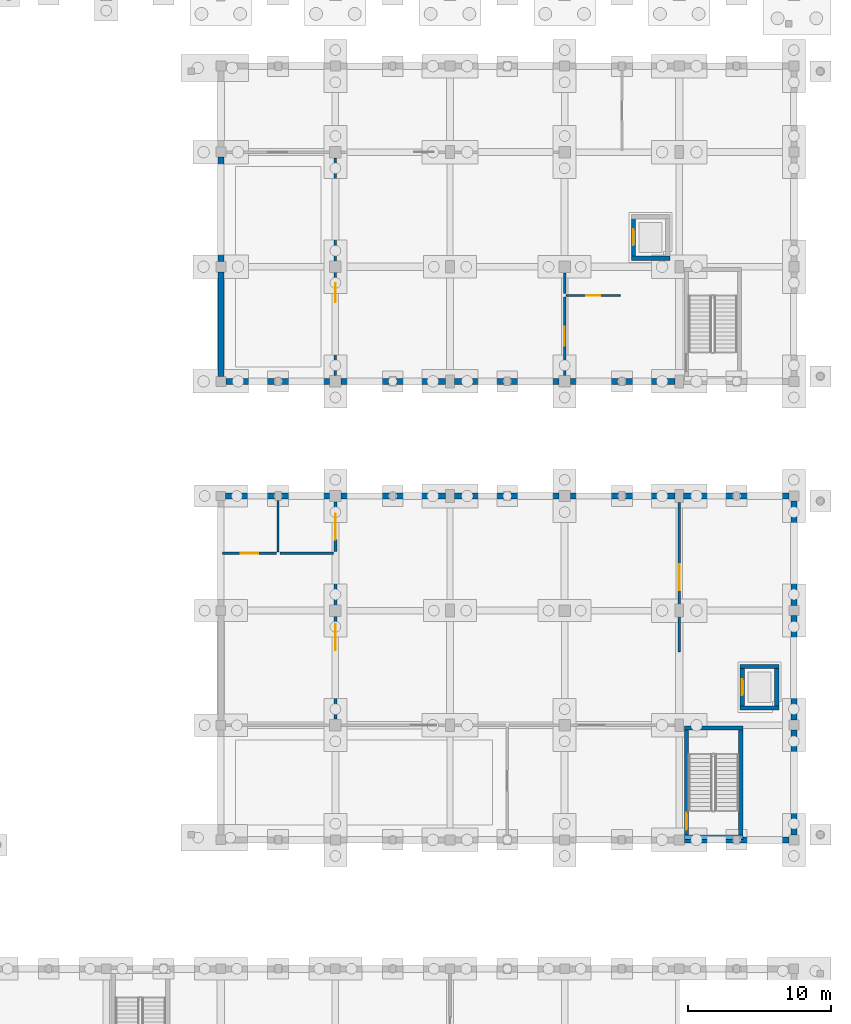
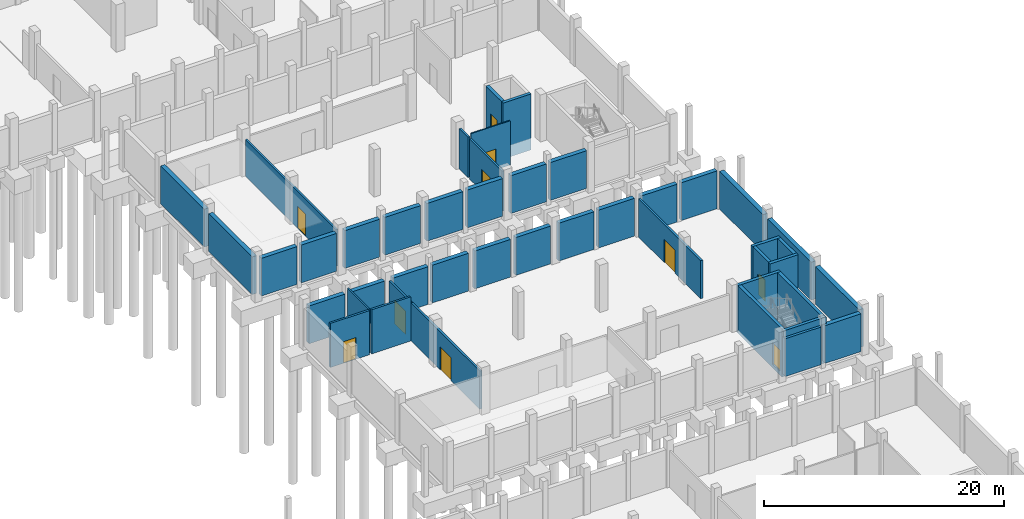
# One storey, part 32 of 52: 45 walls, 10 doors, 10 openings.
"""IFC4 building model written with IfcOpenShell, lengths in metres."""

from ifc_helpers import new_model, si_unit, direction, frame, frame_2d, origin, place, context, subcontext, project, spatial, rectangle, extrude, material, layer, layer_set, type_object, element, fill, save


model = new_model("IFC4")

# Units and contexts
model_context = context("Model", 3, precision=1e-05, world=origin(), true_north=direction((0.0, 1.0)))
body_context = subcontext(model_context, "Body", "Model", "MODEL_VIEW")
ifc_project = project(units=[si_unit("LENGTHUNIT", "METRE"), si_unit("AREAUNIT", "SQUARE_METRE"), si_unit("VOLUMEUNIT", "CUBIC_METRE"), si_unit("PLANEANGLEUNIT", "RADIAN"), si_unit("MASSUNIT", "GRAM", prefix="KILO")], contexts=[model_context])

# Site, building, storey
site_placement = place(None, origin())
site = spatial("IfcSite", under=ifc_project, at=site_placement, CompositionType="ELEMENT")
building_placement = place(site_placement, origin())
building = spatial("IfcBuilding", under=site, at=building_placement, Name="Luwemba Playhouse", CompositionType="ELEMENT")
storey_placement = place(building_placement, frame((0.0, 0.0, -4.800048828125)))
storey = spatial("IfcBuildingStorey", under=building, at=storey_placement, Name="B1", CompositionType="ELEMENT", Elevation=-4.800048828125)

# Walls
ifc_material_1 = material(Name="Concrete C40/50", Category="concrete")
ifc_layer_1 = layer(ifc_material_1, 0.300048828125)
ifc_layer_set_1 = layer_set([ifc_layer_1], Name="Concrete C40/50")
wall_type_1 = type_object("IfcWallType", Name="WAL-CORE-300", PredefinedType="SHEAR", material=ifc_layer_set_1)
wall_1_placement = place(storey_placement, frame((164.35009765625, 36.18994140625, 3.85009765625), z_axis=(0.0, 0.0, 1.0), x_axis=(1.0, 0.0, 0.0)))
element("IfcWall", 1, at=wall_1_placement, inside=storey, type_object=wall_type_1, Name="B1 ST-06 stair core wall S", PredefinedType="SHEAR", context=body_context, shape_type="SweptSolid", body=[
    extrude(rectangle(XDim=4.099853515625, YDim=0.300048828125, at=frame_2d((2.0498046875, 0.0))), origin(), (0.0, 0.0, 1.0), 0.64990234375),
])
wall_2_placement = place(storey_placement, frame((168.449951171875, 43.81005859375, -0.3798828125), z_axis=(0.0, 0.0, 1.0), x_axis=(-1.0, 0.0, 0.0)))
element("IfcWall", 2, at=wall_2_placement, inside=storey, type_object=wall_type_1, Name="B1 ST-06 stair core wall N", PredefinedType="SHEAR", context=body_context, shape_type="SweptSolid", body=[
    extrude(rectangle(XDim=4.099853515625, YDim=0.300048828125, at=frame_2d((2.0498046875, 0.0))), origin(), (0.0, 0.0, 1.0), 4.8798828125),
])

# Wall, opening, door
wall_3_placement = place(storey_placement, frame((164.5, 43.659912109375, -0.3798828125), z_axis=(0.0, 0.0, 1.0), x_axis=(0.0, -1.0, 0.0)))
wall_3 = element("IfcWall", 3, at=wall_3_placement, inside=storey, type_object=wall_type_1, Name="B1 ST-06 stair core wall W", PredefinedType="SHEAR", context=body_context, shape_type="SweptSolid", body=[
    extrude(rectangle(XDim=7.31982421875, YDim=0.300048828125, at=frame_2d((3.659912109375, 0.0))), origin(), (0.0, 0.0, 1.0), 4.8798828125),
])
opening_1_placement = place(wall_3_placement, frame((5.77001953125, 0.0, 0.3798828125)))
opening_1 = element("IfcOpeningElement", 4, at=opening_1_placement, cuts=wall_3, Name="Opening D-STAIR3", PredefinedType="OPENING", context=body_context, shape_type="SweptSolid", body=[
    extrude(rectangle(XDim=1.199951171875, YDim=2.14990234375, at=frame_2d((0.60009765625, 1.074951171875))), frame((0.0, 0.159912109375, 0.0), z_axis=(0.0, -1.0, 0.0), x_axis=(1.0, 0.0, 0.0)), (0.0, 0.0, 1.0), 0.320068359375),
])
ifc_material_2 = material(Name="Hardwood acoustic fire door leaf", Category="wood")
door_type_1 = type_object("IfcDoorType", Name="DR-STAIR-120", OperationType="NOTDEFINED", PredefinedType="DOOR", material=ifc_material_2)
door_1_placement = place(opening_1_placement, origin())
door_1 = element("IfcDoor", 5, at=door_1_placement, inside=storey, type_object=door_type_1, Name="B1 ST-06 protected stair entry door", OperationType="SINGLE_SWING_RIGHT", OverallHeight=2.14990234375, OverallWidth=1.199951171875, PredefinedType="DOOR", context=body_context, shape_type="SweptSolid", body=[
    extrude(rectangle(XDim=1.199951171875, YDim=2.14990234375, at=frame_2d((0.60009765625, 1.074951171875))), frame((0.0, 0.02490234375, 0.0), z_axis=(0.0, -1.0, 0.0), x_axis=(1.0, 0.0, 0.0)), (0.0, 0.0, 1.0), 0.050048828125),
])
fill(opening_1, door_1)

# Walls
wall_4_placement = place(storey_placement, frame((168.300048828125, 43.659912109375, -0.3798828125), z_axis=(0.0, 0.0, 1.0), x_axis=(0.0, -1.0, 0.0)))
element("IfcWall", 6, at=wall_4_placement, inside=storey, type_object=wall_type_1, Name="B1 ST-06 stair core wall E", PredefinedType="SHEAR", context=body_context, shape_type="SweptSolid", body=[
    extrude(rectangle(XDim=7.31982421875, YDim=0.300048828125, at=frame_2d((3.659912109375, 0.0))), origin(), (0.0, 0.0, 1.0), 4.8798828125),
])
wall_5_placement = place(storey_placement, frame((160.64990234375, 76.60009765625, -1.199951171875), z_axis=(0.0, 0.0, 1.0), x_axis=(1.0, 0.0, 0.0)))
element("IfcWall", 7, at=wall_5_placement, inside=storey, type_object=wall_type_1, Name="B1 Lift LF-P7 shaft wall S", PredefinedType="SHEAR", context=body_context, shape_type="SweptSolid", body=[
    extrude(rectangle(XDim=2.7001953125, YDim=0.300048828125, at=frame_2d((1.35009765625, 0.0))), origin(), (0.0, 0.0, 1.0), 5.699951171875),
])

# Wall, opening, door
wall_6_placement = place(storey_placement, frame((160.800048828125, 76.75, -1.199951171875), z_axis=(0.0, 0.0, 1.0), x_axis=(0.0, 1.0, 0.0)))
wall_6 = element("IfcWall", 8, at=wall_6_placement, inside=storey, type_object=wall_type_1, Name="B1 Lift LF-P7 shaft wall W", PredefinedType="SHEAR", context=body_context, shape_type="SweptSolid", body=[
    extrude(rectangle(XDim=2.60009765625, YDim=0.300048828125, at=frame_2d((1.300048828125, 0.0))), origin(), (0.0, 0.0, 1.0), 5.699951171875),
])
opening_2_placement = place(wall_6_placement, frame((0.75, 0.0, 1.199951171875)))
opening_2 = element("IfcOpeningElement", 9, at=opening_2_placement, cuts=wall_6, Name="Opening LD-01", PredefinedType="OPENING", context=body_context, shape_type="SweptSolid", body=[
    extrude(rectangle(XDim=1.10009765625, YDim=2.14990234375, at=frame_2d((0.550048828125, 1.074951171875))), frame((0.0, 0.159912109375, 0.0), z_axis=(0.0, -1.0, 0.0), x_axis=(1.0, 0.0, 0.0)), (0.0, 0.0, 1.0), 0.320068359375),
])
ifc_material_3 = material(Name="Stainless steel lift landing doors", Category="steel")
door_type_2 = type_object("IfcDoorType", Name="DR-LIFT-110", OperationType="NOTDEFINED", PredefinedType="DOOR", material=ifc_material_3)
door_2_placement = place(opening_2_placement, origin())
door_2 = element("IfcDoor", 10, at=door_2_placement, inside=storey, type_object=door_type_2, Name="B1 Lift LF-P7 landing door", OperationType="DOUBLE_DOOR_SLIDING", OverallHeight=2.14990234375, OverallWidth=1.10009765625, PredefinedType="DOOR", context=body_context, shape_type="SweptSolid", body=[
    extrude(rectangle(XDim=1.10009765625, YDim=2.14990234375, at=frame_2d((0.550048828125, 1.074951171875))), frame((0.0, 0.02490234375, 0.0), z_axis=(0.0, -1.0, 0.0), x_axis=(1.0, 0.0, 0.0)), (0.0, 0.0, 1.0), 0.050048828125),
])
fill(opening_2, door_2)

# Walls
for number, where, z_axis, x_axis, name in (
    (11, (168.25, 45.199951171875, -1.199951171875), (0.0, 0.0, 1.0), (1.0, 0.0, 0.0), "B1 Lift LF-P3 shaft wall S"),
    (12, (170.949951171875, 48.10009765625, -1.199951171875), (0.0, 0.0, 1.0), (-1.0, 0.0, 0.0), "B1 Lift LF-P3 shaft wall N"),
):
    element("IfcWall", number, at=place(storey_placement, frame(where, z_axis=z_axis, x_axis=x_axis)), inside=storey, type_object=wall_type_1, Name=name, PredefinedType="SHEAR", context=body_context, shape_type="SweptSolid", body=[
        extrude(rectangle(XDim=2.699951171875, YDim=0.300048828125, at=frame_2d((1.35009765625, 0.0))), origin(), (0.0, 0.0, 1.0), 5.699951171875),
    ])

# Wall, opening, door
wall_7_placement = place(storey_placement, frame((168.39990234375, 45.35009765625, -1.199951171875), z_axis=(0.0, 0.0, 1.0), x_axis=(0.0, 1.0, 0.0)))
wall_7 = element("IfcWall", 13, at=wall_7_placement, inside=storey, type_object=wall_type_1, Name="B1 Lift LF-P3 shaft wall W", PredefinedType="SHEAR", context=body_context, shape_type="SweptSolid", body=[
    extrude(rectangle(XDim=2.599853515625, YDim=0.300048828125, at=frame_2d((1.2998046875, 0.0))), origin(), (0.0, 0.0, 1.0), 5.699951171875),
])
opening_3_placement = place(wall_7_placement, frame((0.75, 0.0, 1.199951171875)))
opening_3 = element("IfcOpeningElement", 14, at=opening_3_placement, cuts=wall_7, Name="Opening LD-01", PredefinedType="OPENING", context=body_context, shape_type="SweptSolid", body=[
    extrude(rectangle(XDim=1.10009765625, YDim=2.14990234375, at=frame_2d((0.550048828125, 1.074951171875))), frame((0.0, 0.159912109375, 0.0), z_axis=(0.0, -1.0, 0.0), x_axis=(1.0, 0.0, 0.0)), (0.0, 0.0, 1.0), 0.320068359375),
])
door_3_placement = place(opening_3_placement, origin())
door_3 = element("IfcDoor", 15, at=door_3_placement, inside=storey, type_object=door_type_2, Name="B1 Lift LF-P3 landing door", OperationType="DOUBLE_DOOR_SLIDING", OverallHeight=2.14990234375, OverallWidth=1.10009765625, PredefinedType="DOOR", context=body_context, shape_type="SweptSolid", body=[
    extrude(rectangle(XDim=1.10009765625, YDim=2.14990234375, at=frame_2d((0.550048828125, 1.074951171875))), frame((0.0, 0.02490234375, 0.0), z_axis=(0.0, -1.0, 0.0), x_axis=(1.0, 0.0, 0.0)), (0.0, 0.0, 1.0), 0.050048828125),
])
fill(opening_3, door_3)

# Walls
wall_8_placement = place(storey_placement, frame((170.800048828125, 47.949951171875, -1.199951171875), z_axis=(0.0, 0.0, 1.0), x_axis=(0.0, -1.0, 0.0)))
element("IfcWall", 16, at=wall_8_placement, inside=storey, type_object=wall_type_1, Name="B1 Lift LF-P3 shaft wall E", PredefinedType="SHEAR", context=body_context, shape_type="SweptSolid", body=[
    extrude(rectangle(XDim=2.599853515625, YDim=0.300048828125, at=frame_2d((1.2998046875, 0.0))), origin(), (0.0, 0.0, 1.0), 5.699951171875),
])
ifc_material_4 = material(Name="Moisture-resistant sanitary partition", Category="gypsum")
ifc_layer_2 = layer(ifc_material_4, 0.1201171875)
ifc_layer_set_2 = layer_set([ifc_layer_2], Name="Moisture-resistant sanitary partition")
wall_type_2 = type_object("IfcWallType", Name="WAL-INT-120", PredefinedType="PARTITIONING", material=ifc_layer_set_2)
wall_9_placement = place(storey_placement, frame((136.0, 56.1201171875, 0.0), z_axis=(0.0, 0.0, 1.0), x_axis=(0.0, 1.0, 0.0)))
element("IfcWall", 17, at=wall_9_placement, inside=storey, type_object=wall_type_2, Name="B1 V3 interior partition 0030", PredefinedType="PARTITIONING", context=body_context, shape_type="SweptSolid", body=[
    extrude(rectangle(XDim=3.559814453125, YDim=0.1201171875, at=frame_2d((1.77978515625, 0.0))), origin(), (0.0, 0.0, 1.0), 4.5),
])

# Wall, opening, door
wall_10_placement = place(storey_placement, frame((156.1201171875, 74.0, 0.0), z_axis=(0.0, 0.0, 1.0), x_axis=(1.0, 0.0, 0.0)))
wall_10 = element("IfcWall", 18, at=wall_10_placement, inside=storey, type_object=wall_type_2, Name="B1 V4 interior partition 0037", PredefinedType="PARTITIONING", context=body_context, shape_type="SweptSolid", body=[
    extrude(rectangle(XDim=3.759765625, YDim=0.1201171875, at=frame_2d((1.8798828125, 0.0))), origin(), (0.0, 0.0, 1.0), 4.5),
])
opening_4_placement = place(wall_10_placement, frame((1.3798828125, 0.0, 0.0)))
opening_4 = element("IfcOpeningElement", 19, at=opening_4_placement, cuts=wall_10, Name="Opening D-AWC", PredefinedType="OPENING", context=body_context, shape_type="SweptSolid", body=[
    extrude(rectangle(XDim=1.0, YDim=2.10009765625, at=frame_2d((0.5, 1.050048828125))), frame((0.0, 0.070068359375, 0.0), z_axis=(0.0, -1.0, 0.0), x_axis=(1.0, 0.0, 0.0)), (0.0, 0.0, 1.0), 0.14013671875),
])
ifc_material_5 = material(Name="Accessible WC outward-assisted timber door", Category="wood")
door_type_3 = type_object("IfcDoorType", Name="DR-AWC-100", OperationType="NOTDEFINED", PredefinedType="DOOR", material=ifc_material_5)
door_4_placement = place(opening_4_placement, origin())
door_4 = element("IfcDoor", 20, at=door_4_placement, inside=storey, type_object=door_type_3, Name="B1 Experimental Basement Toilets to Experimental Basement Accessible WC door", OperationType="SINGLE_SWING_RIGHT", OverallHeight=2.10009765625, OverallWidth=1.0, PredefinedType="DOOR", context=body_context, shape_type="SweptSolid", body=[
    extrude(rectangle(XDim=1.0, YDim=2.10009765625, at=frame_2d((0.5, 1.050048828125))), frame((0.0, 0.02490234375, 0.0), z_axis=(0.0, -1.0, 0.0), x_axis=(1.0, 0.0, 0.0)), (0.0, 0.0, 1.0), 0.050048828125),
])
fill(opening_4, door_4)

ifc_material_6 = material(Name="Double-stud acoustic gypsum partition", Category="gypsum")
ifc_layer_3 = layer(ifc_material_6, 0.179931640625)
ifc_layer_set_3 = layer_set([ifc_layer_3], Name="Double-stud acoustic gypsum partition")
wall_type_3 = type_object("IfcWallType", Name="WAL-INT-180", PredefinedType="PARTITIONING", material=ifc_layer_set_3)
wall_11_placement = place(storey_placement, frame((140.0, 68.419921875, 0.0), z_axis=(0.0, 0.0, 1.0), x_axis=(0.0, 1.0, 0.0)))
wall_11 = element("IfcWall", 21, at=wall_11_placement, inside=storey, type_object=wall_type_3, Name="B1 V4 interior partition 0031", PredefinedType="PARTITIONING", context=body_context, shape_type="SweptSolid", body=[
    extrude(rectangle(XDim=15.16015625, YDim=0.179931640625, at=frame_2d((7.580078125, 0.0))), origin(), (0.0, 0.0, 1.0), 3.735107421875),
])
opening_5_placement = place(wall_11_placement, frame((5.085693359375, 0.0, 0.0)))
opening_5 = element("IfcOpeningElement", 22, at=opening_5_placement, cuts=wall_11, Name="Opening D-STU1", PredefinedType="OPENING", context=body_context, shape_type="SweptSolid", body=[
    extrude(rectangle(XDim=1.35009765625, YDim=2.199951171875, at=frame_2d((0.675048828125, 1.10009765625))), frame((0.0, 0.099853515625, 0.0), z_axis=(0.0, -1.0, 0.0), x_axis=(1.0, 0.0, 0.0)), (0.0, 0.0, 1.0), 0.199951171875),
])
ifc_material_7 = material(Name="Acoustic studio door", Category="wood")
door_type_4 = type_object("IfcDoorType", Name="DR-STU-135", OperationType="NOTDEFINED", PredefinedType="DOOR", material=ifc_material_7)
door_5_placement = place(opening_5_placement, origin())
door_5 = element("IfcDoor", 23, at=door_5_placement, inside=storey, type_object=door_type_4, Name="B1 Cinema Foley and Dubbing Stage to Multi-Track Music Recording Studio door", OperationType="SINGLE_SWING_LEFT", OverallHeight=2.199951171875, OverallWidth=1.35009765625, PredefinedType="DOOR", context=body_context, shape_type="SweptSolid", body=[
    extrude(rectangle(XDim=1.35009765625, YDim=2.199951171875, at=frame_2d((0.675048828125, 1.10009765625))), frame((0.0, 0.02490234375, 0.0), z_axis=(0.0, -1.0, 0.0), x_axis=(1.0, 0.0, 0.0)), (0.0, 0.0, 1.0), 0.050048828125),
])
fill(opening_5, door_5)

wall_12_placement = place(storey_placement, frame((156.0, 68.419921875, 0.0), z_axis=(0.0, 0.0, 1.0), x_axis=(0.0, 1.0, 0.0)))
wall_12 = element("IfcWall", 24, at=wall_12_placement, inside=storey, type_object=wall_type_3, Name="B1 V4 interior partition 0033", PredefinedType="PARTITIONING", context=body_context, shape_type="SweptSolid", body=[
    extrude(rectangle(XDim=5.4599609375, YDim=0.179931640625, at=frame_2d((2.72998046875, 0.0))), origin(), (0.0, 0.0, 1.0), 4.094970703125),
])
opening_6_placement = place(wall_12_placement, frame((2.054931640625, 0.0, 0.0)))
opening_6 = element("IfcOpeningElement", 25, at=opening_6_placement, cuts=wall_12, Name="Opening D-STU1", PredefinedType="OPENING", context=body_context, shape_type="SweptSolid", body=[
    extrude(rectangle(XDim=1.35009765625, YDim=2.199951171875, at=frame_2d((0.675048828125, 1.10009765625))), frame((0.0, 0.099853515625, 0.0), z_axis=(0.0, -1.0, 0.0), x_axis=(1.0, 0.0, 0.0)), (0.0, 0.0, 1.0), 0.199951171875),
])
door_6_placement = place(opening_6_placement, origin())
door_6 = element("IfcDoor", 26, at=door_6_placement, inside=storey, type_object=door_type_4, Name="B1 Cinema Foley and Dubbing Stage to Experimental Basement Toilets door", OperationType="SINGLE_SWING_LEFT", OverallHeight=2.199951171875, OverallWidth=1.35009765625, PredefinedType="DOOR", context=body_context, shape_type="SweptSolid", body=[
    extrude(rectangle(XDim=1.35009765625, YDim=2.199951171875, at=frame_2d((0.675048828125, 1.10009765625))), frame((0.0, 0.02490234375, 0.0), z_axis=(0.0, -1.0, 0.0), x_axis=(1.0, 0.0, 0.0)), (0.0, 0.0, 1.0), 0.050048828125),
])
fill(opening_6, door_6)

# Wall
wall_13_placement = place(storey_placement, frame((156.0, 74.1201171875, 0.0), z_axis=(0.0, 0.0, 1.0), x_axis=(0.0, 1.0, 0.0)))
element("IfcWall", 27, at=wall_13_placement, inside=storey, type_object=wall_type_3, Name="B1 V4 interior partition 0034", PredefinedType="PARTITIONING", context=body_context, shape_type="SweptSolid", body=[
    extrude(rectangle(XDim=1.4599609375, YDim=0.179931640625, at=frame_2d((0.72998046875, 0.0))), origin(), (0.0, 0.0, 1.0), 4.094970703125),
])

# Wall, opening, door
ifc_material_8 = material(Name="Clay acoustic masonry blockwork", Category="masonry")
ifc_layer_4 = layer(ifc_material_8, 0.199951171875)
ifc_layer_set_4 = layer_set([ifc_layer_4], Name="Clay acoustic masonry blockwork")
wall_type_4 = type_object("IfcWallType", Name="WAL-INT-200", PredefinedType="PARTITIONING", material=ifc_layer_set_4)
wall_14_placement = place(storey_placement, frame((140.0, 44.419921875, 0.0), z_axis=(0.0, 0.0, 1.0), x_axis=(0.0, 1.0, 0.0)))
wall_14 = element("IfcWall", 28, at=wall_14_placement, inside=storey, type_object=wall_type_4, Name="B1 V3 interior partition 0023", PredefinedType="PARTITIONING", context=body_context, shape_type="SweptSolid", body=[
    extrude(rectangle(XDim=11.4599609375, YDim=0.199951171875, at=frame_2d((5.72998046875, 0.0))), origin(), (0.0, 0.0, 1.0), 3.885009765625),
])
opening_7_placement = place(wall_14_placement, frame((4.830078125, 0.0, 0.0)))
opening_7 = element("IfcOpeningElement", 29, at=opening_7_placement, cuts=wall_14, Name="Opening D-AUD1", PredefinedType="OPENING", context=body_context, shape_type="SweptSolid", body=[
    extrude(rectangle(XDim=1.800048828125, YDim=2.35009765625, at=frame_2d((0.89990234375, 1.175048828125))), frame((0.0, 0.10986328125, 0.0), z_axis=(0.0, -1.0, 0.0), x_axis=(1.0, 0.0, 0.0)), (0.0, 0.0, 1.0), 0.219970703125),
])
ifc_material_9 = material(Name="Double acoustic timber theatre door", Category="wood")
door_type_5 = type_object("IfcDoorType", Name="DR-AUD-180", OperationType="NOTDEFINED", PredefinedType="DOOR", material=ifc_material_9)
door_7_placement = place(opening_7_placement, origin())
door_7 = element("IfcDoor", 30, at=door_7_placement, inside=storey, type_object=door_type_5, Name="B1 Studio Theatre Understage Chamber to East Pavilion Acoustic AHU Room door", OperationType="DOUBLE_DOOR_SINGLE_SWING", OverallHeight=2.35009765625, OverallWidth=1.800048828125, PredefinedType="DOOR", context=body_context, shape_type="SweptSolid", body=[
    extrude(rectangle(XDim=1.800048828125, YDim=2.35009765625, at=frame_2d((0.89990234375, 1.175048828125))), frame((0.0, 0.02490234375, 0.0), z_axis=(0.0, -1.0, 0.0), x_axis=(1.0, 0.0, 0.0)), (0.0, 0.0, 1.0), 0.050048828125),
])
fill(opening_7, door_7)

wall_15_placement = place(storey_placement, frame((140.0, 56.1201171875, 0.0), z_axis=(0.0, 0.0, 1.0), x_axis=(0.0, 1.0, 0.0)))
wall_15 = element("IfcWall", 31, at=wall_15_placement, inside=storey, type_object=wall_type_4, Name="B1 V3 interior partition 0024", PredefinedType="PARTITIONING", context=body_context, shape_type="SweptSolid", body=[
    extrude(rectangle(XDim=3.4599609375, YDim=0.199951171875, at=frame_2d((1.72998046875, 0.0))), origin(), (0.0, 0.0, 1.0), 3.885009765625),
])
opening_8_placement = place(wall_15_placement, frame((0.830078125, 0.0, 0.0)))
opening_8 = element("IfcOpeningElement", 32, at=opening_8_placement, cuts=wall_15, Name="Opening D-AUD1", PredefinedType="OPENING", context=body_context, shape_type="SweptSolid", body=[
    extrude(rectangle(XDim=1.800048828125, YDim=2.35009765625, at=frame_2d((0.89990234375, 1.175048828125))), frame((0.0, 0.10986328125, 0.0), z_axis=(0.0, -1.0, 0.0), x_axis=(1.0, 0.0, 0.0)), (0.0, 0.0, 1.0), 0.219970703125),
])
door_8_placement = place(opening_8_placement, origin())
door_8 = element("IfcDoor", 33, at=door_8_placement, inside=storey, type_object=door_type_5, Name="B1 Studio Theatre Understage Chamber to Studio Basement Toilets door", OperationType="DOUBLE_DOOR_SINGLE_SWING", OverallHeight=2.35009765625, OverallWidth=1.800048828125, PredefinedType="DOOR", context=body_context, shape_type="SweptSolid", body=[
    extrude(rectangle(XDim=1.800048828125, YDim=2.35009765625, at=frame_2d((0.89990234375, 1.175048828125))), frame((0.0, 0.02490234375, 0.0), z_axis=(0.0, -1.0, 0.0), x_axis=(1.0, 0.0, 0.0)), (0.0, 0.0, 1.0), 0.050048828125),
])
fill(opening_8, door_8)

wall_16_placement = place(storey_placement, frame((164.0, 49.1201171875, 0.0), z_axis=(0.0, 0.0, 1.0), x_axis=(0.0, 1.0, 0.0)))
wall_16 = element("IfcWall", 34, at=wall_16_placement, inside=storey, type_object=wall_type_4, Name="B1 V3 interior partition 0025", PredefinedType="PARTITIONING", context=body_context, shape_type="SweptSolid", body=[
    extrude(rectangle(XDim=10.409912109375, YDim=0.199951171875, at=frame_2d((5.205078125, 0.0))), origin(), (0.0, 0.0, 1.0), 3.885009765625),
])
opening_9_placement = place(wall_16_placement, frame((4.304931640625, 0.0, 0.0)))
opening_9 = element("IfcOpeningElement", 35, at=opening_9_placement, cuts=wall_16, Name="Opening D-AUD1", PredefinedType="OPENING", context=body_context, shape_type="SweptSolid", body=[
    extrude(rectangle(XDim=1.800048828125, YDim=2.35009765625, at=frame_2d((0.89990234375, 1.175048828125))), frame((0.0, 0.10986328125, 0.0), z_axis=(0.0, -1.0, 0.0), x_axis=(1.0, 0.0, 0.0)), (0.0, 0.0, 1.0), 0.219970703125),
])
door_9_placement = place(opening_9_placement, origin())
door_9 = element("IfcDoor", 36, at=door_9_placement, inside=storey, type_object=door_type_5, Name="B1 Studio Theatre Understage Chamber to Studio Chair and Rostra Store door", OperationType="DOUBLE_DOOR_SINGLE_SWING", OverallHeight=2.35009765625, OverallWidth=1.800048828125, PredefinedType="DOOR", context=body_context, shape_type="SweptSolid", body=[
    extrude(rectangle(XDim=1.800048828125, YDim=2.35009765625, at=frame_2d((0.89990234375, 1.175048828125))), frame((0.0, 0.02490234375, 0.0), z_axis=(0.0, -1.0, 0.0), x_axis=(1.0, 0.0, 0.0)), (0.0, 0.0, 1.0), 0.050048828125),
])
fill(opening_9, door_9)

wall_17_placement = place(storey_placement, frame((132.1201171875, 56.0, 0.0), z_axis=(0.0, 0.0, 1.0), x_axis=(1.0, 0.0, 0.0)))
wall_17 = element("IfcWall", 37, at=wall_17_placement, inside=storey, type_object=wall_type_4, Name="B1 V3 interior partition 0028", PredefinedType="PARTITIONING", context=body_context, shape_type="SweptSolid", body=[
    extrude(rectangle(XDim=3.759765625, YDim=0.199951171875, at=frame_2d((1.8798828125, 0.0))), origin(), (0.0, 0.0, 1.0), 4.5),
])
opening_10_placement = place(wall_17_placement, frame((1.280029296875, 0.0, 0.0)))
opening_10 = element("IfcOpeningElement", 38, at=opening_10_placement, cuts=wall_17, Name="Opening D-FD120", PredefinedType="OPENING", context=body_context, shape_type="SweptSolid", body=[
    extrude(rectangle(XDim=1.199951171875, YDim=2.199951171875, at=frame_2d((0.60009765625, 1.10009765625))), frame((0.0, 0.10986328125, 0.0), z_axis=(0.0, -1.0, 0.0), x_axis=(1.0, 0.0, 0.0)), (0.0, 0.0, 1.0), 0.219970703125),
])
ifc_material_10 = material(Name="Steel-core fire command door leaf", Category="steel")
door_type_6 = type_object("IfcDoorType", Name="DR-FCC-120", OperationType="NOTDEFINED", PredefinedType="DOOR", material=ifc_material_10)
door_10_placement = place(opening_10_placement, origin())
door_10 = element("IfcDoor", 39, at=door_10_placement, inside=storey, type_object=door_type_6, Name="B1 East Pavilion Acoustic AHU Room to Studio Basement Accessible WC door", OperationType="SINGLE_SWING_RIGHT", OverallHeight=2.199951171875, OverallWidth=1.199951171875, PredefinedType="DOOR", context=body_context, shape_type="SweptSolid", body=[
    extrude(rectangle(XDim=1.199951171875, YDim=2.199951171875, at=frame_2d((0.60009765625, 1.10009765625))), frame((0.0, 0.02490234375, 0.0), z_axis=(0.0, -1.0, 0.0), x_axis=(1.0, 0.0, 0.0)), (0.0, 0.0, 1.0), 0.050048828125),
])
fill(opening_10, door_10)

# Walls
wall_18_placement = place(storey_placement, frame((136.1201171875, 56.0, 0.0), z_axis=(0.0, 0.0, 1.0), x_axis=(1.0, 0.0, 0.0)))
element("IfcWall", 40, at=wall_18_placement, inside=storey, type_object=wall_type_4, Name="B1 V3 interior partition 0029", PredefinedType="PARTITIONING", context=body_context, shape_type="SweptSolid", body=[
    extrude(rectangle(XDim=3.759765625, YDim=0.199951171875, at=frame_2d((1.8798828125, 0.0))), origin(), (0.0, 0.0, 1.0), 4.5),
])
ifc_material_11 = material(Name="Concrete C32/40", Category="concrete")
ifc_layer_5 = layer(ifc_material_11, 0.419921875)
ifc_layer_set_5 = layer_set([ifc_layer_5], Name="Concrete C32/40")
wall_type_5 = type_object("IfcWallType", Name="WAL-RET-420", PredefinedType="USERDEFINED", material=ifc_layer_set_5)
wall_19_placement = place(storey_placement, frame((132.324951171875, 60.0, 0.0), z_axis=(0.0, 0.0, 1.0), x_axis=(1.0, 0.0, 0.0)))
element("IfcWall", 41, at=wall_19_placement, inside=storey, type_object=wall_type_5, Name="Basement retaining wall 040", ObjectType="RETAINING WALL", PredefinedType="USERDEFINED", context=body_context, shape_type="SweptSolid", body=[
    extrude(rectangle(XDim=3.449951171875, YDim=0.419921875, at=frame_2d((1.72509765625, 0.0))), origin(), (0.0, 0.0, 1.0), 3.85009765625),
])
wall_20_placement = place(storey_placement, frame((136.22509765625, 60.0, 0.0), z_axis=(0.0, 0.0, 1.0), x_axis=(1.0, 0.0, 0.0)))
element("IfcWall", 42, at=wall_20_placement, inside=storey, type_object=wall_type_5, Name="Basement retaining wall 041", ObjectType="RETAINING WALL", PredefinedType="USERDEFINED", context=body_context, shape_type="SweptSolid", body=[
    extrude(rectangle(XDim=3.375, YDim=0.419921875, at=frame_2d((1.6875, 0.0))), origin(), (0.0, 0.0, 1.0), 3.85009765625),
])
wall_21_placement = place(storey_placement, frame((140.39990234375, 60.0, 0.0), z_axis=(0.0, 0.0, 1.0), x_axis=(1.0, 0.0, 0.0)))
element("IfcWall", 43, at=wall_21_placement, inside=storey, type_object=wall_type_5, Name="Basement retaining wall 042", ObjectType="RETAINING WALL", PredefinedType="USERDEFINED", context=body_context, shape_type="SweptSolid", body=[
    extrude(rectangle(XDim=3.400146484375, YDim=0.419921875, at=frame_2d((1.7001953125, 0.0))), origin(), (0.0, 0.0, 1.0), 3.85009765625),
])
wall_22_placement = place(storey_placement, frame((144.199951171875, 60.0, 0.0), z_axis=(0.0, 0.0, 1.0), x_axis=(1.0, 0.0, 0.0)))
element("IfcWall", 44, at=wall_22_placement, inside=storey, type_object=wall_type_5, Name="Basement retaining wall 043", ObjectType="RETAINING WALL", PredefinedType="USERDEFINED", context=body_context, shape_type="SweptSolid", body=[
    extrude(rectangle(XDim=3.5, YDim=0.419921875, at=frame_2d((1.75, 0.0))), origin(), (0.0, 0.0, 1.0), 3.85009765625),
])
wall_23_placement = place(storey_placement, frame((148.300048828125, 60.0, 0.0), z_axis=(0.0, 0.0, 1.0), x_axis=(1.0, 0.0, 0.0)))
element("IfcWall", 45, at=wall_23_placement, inside=storey, type_object=wall_type_5, Name="Basement retaining wall 044", ObjectType="RETAINING WALL", PredefinedType="USERDEFINED", context=body_context, shape_type="SweptSolid", body=[
    extrude(rectangle(XDim=3.449951171875, YDim=0.419921875, at=frame_2d((1.72509765625, 0.0))), origin(), (0.0, 0.0, 1.0), 3.85009765625),
])
wall_24_placement = place(storey_placement, frame((152.25, 60.0, 0.0), z_axis=(0.0, 0.0, 1.0), x_axis=(1.0, 0.0, 0.0)))
element("IfcWall", 46, at=wall_24_placement, inside=storey, type_object=wall_type_5, Name="Basement retaining wall 045", ObjectType="RETAINING WALL", PredefinedType="USERDEFINED", context=body_context, shape_type="SweptSolid", body=[
    extrude(rectangle(XDim=3.35009765625, YDim=0.419921875, at=frame_2d((1.675048828125, 0.0))), origin(), (0.0, 0.0, 1.0), 3.85009765625),
])
wall_25_placement = place(storey_placement, frame((156.39990234375, 60.0, 0.0), z_axis=(0.0, 0.0, 1.0), x_axis=(1.0, 0.0, 0.0)))
element("IfcWall", 47, at=wall_25_placement, inside=storey, type_object=wall_type_5, Name="Basement retaining wall 046", ObjectType="RETAINING WALL", PredefinedType="USERDEFINED", context=body_context, shape_type="SweptSolid", body=[
    extrude(rectangle(XDim=3.375, YDim=0.419921875, at=frame_2d((1.6875, 0.0))), origin(), (0.0, 0.0, 1.0), 3.85009765625),
])
wall_26_placement = place(storey_placement, frame((160.22509765625, 60.0, 0.0), z_axis=(0.0, 0.0, 1.0), x_axis=(1.0, 0.0, 0.0)))
element("IfcWall", 48, at=wall_26_placement, inside=storey, type_object=wall_type_5, Name="Basement retaining wall 047", ObjectType="RETAINING WALL", PredefinedType="USERDEFINED", context=body_context, shape_type="SweptSolid", body=[
    extrude(rectangle(XDim=3.474853515625, YDim=0.419921875, at=frame_2d((1.7373046875, 0.0))), origin(), (0.0, 0.0, 1.0), 3.85009765625),
])
wall_27_placement = place(storey_placement, frame((164.300048828125, 60.0, 0.0), z_axis=(0.0, 0.0, 1.0), x_axis=(1.0, 0.0, 0.0)))
element("IfcWall", 49, at=wall_27_placement, inside=storey, type_object=wall_type_5, Name="Basement retaining wall 048", ObjectType="RETAINING WALL", PredefinedType="USERDEFINED", context=body_context, shape_type="SweptSolid", body=[
    extrude(rectangle(XDim=3.5, YDim=0.419921875, at=frame_2d((1.75, 0.0))), origin(), (0.0, 0.0, 1.0), 3.85009765625),
])
wall_28_placement = place(storey_placement, frame((168.199951171875, 60.0, 0.0), z_axis=(0.0, 0.0, 1.0), x_axis=(1.0, 0.0, 0.0)))
element("IfcWall", 50, at=wall_28_placement, inside=storey, type_object=wall_type_5, Name="Basement retaining wall 049", ObjectType="RETAINING WALL", PredefinedType="USERDEFINED", context=body_context, shape_type="SweptSolid", body=[
    extrude(rectangle(XDim=3.449951171875, YDim=0.419921875, at=frame_2d((1.72509765625, 0.0))), origin(), (0.0, 0.0, 1.0), 3.85009765625),
])
for number, where, z_axis, x_axis, name in (
    (51, (172.0, 59.64990234375, 0.0), (0.0, 0.0, 1.0), (0.0, -1.0, 0.0), "Basement retaining wall 050"),
    (52, (172.0, 51.64990234375, 0.0), (0.0, 0.0, 1.0), (0.0, -1.0, 0.0), "Basement retaining wall 051"),
    (53, (172.0, 43.64990234375, 0.0), (0.0, 0.0, 1.0), (0.0, -1.0, 0.0), "Basement retaining wall 052"),
):
    element("IfcWall", number, at=place(storey_placement, frame(where, z_axis=z_axis, x_axis=x_axis)), inside=storey, type_object=wall_type_5, Name=name, ObjectType="RETAINING WALL", PredefinedType="USERDEFINED", context=body_context, shape_type="SweptSolid", body=[
        extrude(rectangle(XDim=7.2998046875, YDim=0.419921875, at=frame_2d((3.64990234375, 0.0))), origin(), (0.0, 0.0, 1.0), 3.85009765625),
    ])
for number, where, z_axis, x_axis, name in (
    (54, (171.64990234375, 36.0, 0.0), (0.0, 0.0, 1.0), (-1.0, 0.0, 0.0), "Basement retaining wall 053"),
    (55, (167.800048828125, 36.0, 0.0), (0.0, 0.0, 1.0), (-1.0, 0.0, 0.0), "Basement retaining wall 054"),
):
    element("IfcWall", number, at=place(storey_placement, frame(where, z_axis=z_axis, x_axis=x_axis)), inside=storey, type_object=wall_type_5, Name=name, ObjectType="RETAINING WALL", PredefinedType="USERDEFINED", context=body_context, shape_type="SweptSolid", body=[
        extrude(rectangle(XDim=3.449951171875, YDim=0.419921875, at=frame_2d((1.72509765625, 0.0))), origin(), (0.0, 0.0, 1.0), 3.85009765625),
    ])
for number, where, z_axis, x_axis, name in (
    (56, (132.0, 68.35009765625, 0.0), (0.0, 0.0, 1.0), (0.0, 1.0, 0.0), "Basement retaining wall 063"),
    (57, (132.0, 76.35009765625, 0.0), (0.0, 0.0, 1.0), (0.0, 1.0, 0.0), "Basement retaining wall 064"),
):
    element("IfcWall", number, at=place(storey_placement, frame(where, z_axis=z_axis, x_axis=x_axis)), inside=storey, type_object=wall_type_5, Name=name, ObjectType="RETAINING WALL", PredefinedType="USERDEFINED", context=body_context, shape_type="SweptSolid", body=[
        extrude(rectangle(XDim=7.2998046875, YDim=0.419921875, at=frame_2d((3.64990234375, 0.0))), origin(), (0.0, 0.0, 1.0), 3.85009765625),
    ])
wall_29_placement = place(storey_placement, frame((163.699951171875, 68.0, 0.0), z_axis=(0.0, 0.0, 1.0), x_axis=(-1.0, 0.0, 0.0)))
element("IfcWall", 58, at=wall_29_placement, inside=storey, type_object=wall_type_5, Name="Basement retaining wall 081", ObjectType="RETAINING WALL", PredefinedType="USERDEFINED", context=body_context, shape_type="SweptSolid", body=[
    extrude(rectangle(XDim=3.5, YDim=0.419921875, at=frame_2d((1.75, 0.0))), origin(), (0.0, 0.0, 1.0), 3.85009765625),
])
wall_30_placement = place(storey_placement, frame((159.800048828125, 68.0, 0.0), z_axis=(0.0, 0.0, 1.0), x_axis=(-1.0, 0.0, 0.0)))
element("IfcWall", 59, at=wall_30_placement, inside=storey, type_object=wall_type_5, Name="Basement retaining wall 082", ObjectType="RETAINING WALL", PredefinedType="USERDEFINED", context=body_context, shape_type="SweptSolid", body=[
    extrude(rectangle(XDim=3.400146484375, YDim=0.419921875, at=frame_2d((1.7001953125, 0.0))), origin(), (0.0, 0.0, 1.0), 3.85009765625),
])
wall_31_placement = place(storey_placement, frame((155.60009765625, 68.0, 0.0), z_axis=(0.0, 0.0, 1.0), x_axis=(-1.0, 0.0, 0.0)))
element("IfcWall", 60, at=wall_31_placement, inside=storey, type_object=wall_type_5, Name="Basement retaining wall 083", ObjectType="RETAINING WALL", PredefinedType="USERDEFINED", context=body_context, shape_type="SweptSolid", body=[
    extrude(rectangle(XDim=3.375, YDim=0.419921875, at=frame_2d((1.6875, 0.0))), origin(), (0.0, 0.0, 1.0), 3.85009765625),
])
wall_32_placement = place(storey_placement, frame((151.77490234375, 68.0, 0.0), z_axis=(0.0, 0.0, 1.0), x_axis=(-1.0, 0.0, 0.0)))
element("IfcWall", 61, at=wall_32_placement, inside=storey, type_object=wall_type_5, Name="Basement retaining wall 084", ObjectType="RETAINING WALL", PredefinedType="USERDEFINED", context=body_context, shape_type="SweptSolid", body=[
    extrude(rectangle(XDim=3.474853515625, YDim=0.419921875, at=frame_2d((1.7373046875, 0.0))), origin(), (0.0, 0.0, 1.0), 3.85009765625),
])
wall_33_placement = place(storey_placement, frame((147.699951171875, 68.0, 0.0), z_axis=(0.0, 0.0, 1.0), x_axis=(-1.0, 0.0, 0.0)))
element("IfcWall", 62, at=wall_33_placement, inside=storey, type_object=wall_type_5, Name="Basement retaining wall 085", ObjectType="RETAINING WALL", PredefinedType="USERDEFINED", context=body_context, shape_type="SweptSolid", body=[
    extrude(rectangle(XDim=3.449951171875, YDim=0.419921875, at=frame_2d((1.72509765625, 0.0))), origin(), (0.0, 0.0, 1.0), 3.85009765625),
])
wall_34_placement = place(storey_placement, frame((143.75, 68.0, 0.0), z_axis=(0.0, 0.0, 1.0), x_axis=(-1.0, 0.0, 0.0)))
element("IfcWall", 63, at=wall_34_placement, inside=storey, type_object=wall_type_5, Name="Basement retaining wall 086", ObjectType="RETAINING WALL", PredefinedType="USERDEFINED", context=body_context, shape_type="SweptSolid", body=[
    extrude(rectangle(XDim=3.35009765625, YDim=0.419921875, at=frame_2d((1.675048828125, 0.0))), origin(), (0.0, 0.0, 1.0), 3.85009765625),
])
wall_35_placement = place(storey_placement, frame((139.60009765625, 68.0, 0.0), z_axis=(0.0, 0.0, 1.0), x_axis=(-1.0, 0.0, 0.0)))
element("IfcWall", 64, at=wall_35_placement, inside=storey, type_object=wall_type_5, Name="Basement retaining wall 087", ObjectType="RETAINING WALL", PredefinedType="USERDEFINED", context=body_context, shape_type="SweptSolid", body=[
    extrude(rectangle(XDim=3.400146484375, YDim=0.419921875, at=frame_2d((1.7001953125, 0.0))), origin(), (0.0, 0.0, 1.0), 3.85009765625),
])
wall_36_placement = place(storey_placement, frame((135.800048828125, 68.0, 0.0), z_axis=(0.0, 0.0, 1.0), x_axis=(-1.0, 0.0, 0.0)))
element("IfcWall", 65, at=wall_36_placement, inside=storey, type_object=wall_type_5, Name="Basement retaining wall 088", ObjectType="RETAINING WALL", PredefinedType="USERDEFINED", context=body_context, shape_type="SweptSolid", body=[
    extrude(rectangle(XDim=3.449951171875, YDim=0.419921875, at=frame_2d((1.72509765625, 0.0))), origin(), (0.0, 0.0, 1.0), 3.85009765625),
])

save(model, "model.ifc")
